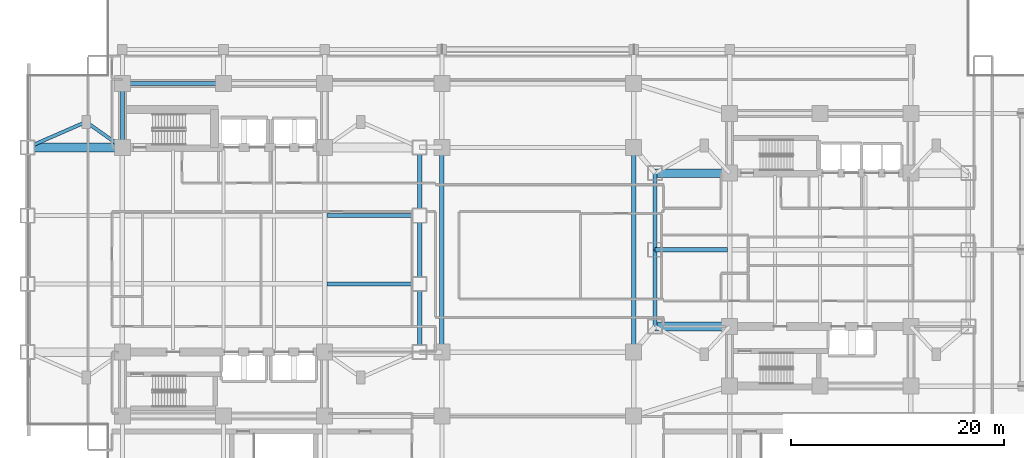
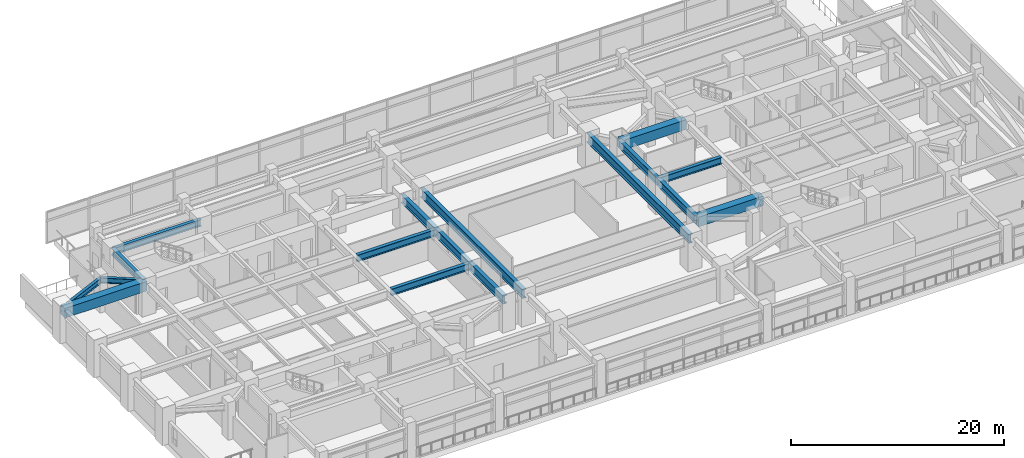
# One storey, part 5 of 27: 17 beams.
"""IFC4 building model written with IfcOpenShell, lengths in metres."""

from ifc_helpers import new_model, si_unit, direction, frame, origin, origin_2d, place, context, subcontext, project, spatial, rectangle, i_section, extrude, material, material_profile, profile_set, type_object, element, save


model = new_model("IFC4")

# Units and contexts
model_context = context("Model", 3, precision=1e-05, world=origin(), true_north=direction((0.0, 1.0)))
body_context = subcontext(model_context, "Body", "Model", "MODEL_VIEW")
ifc_project = project(units=[si_unit("LENGTHUNIT", "METRE"), si_unit("AREAUNIT", "SQUARE_METRE"), si_unit("VOLUMEUNIT", "CUBIC_METRE"), si_unit("PLANEANGLEUNIT", "RADIAN"), si_unit("MASSUNIT", "GRAM", prefix="KILO")], contexts=[model_context])

# Site, building, storey
site_placement = place(None, origin())
site = spatial("IfcSite", under=ifc_project, at=site_placement, CompositionType="ELEMENT")
building_placement = place(site_placement, origin())
building = spatial("IfcBuilding", under=site, at=building_placement, Name="Mirazonda Arch Towers", CompositionType="ELEMENT")
storey_placement = place(building_placement, frame((0.0, 0.0, 18.10009765625)))
storey = spatial("IfcBuildingStorey", under=building, at=storey_placement, Name="L04", CompositionType="ELEMENT", Elevation=18.10009765625)

# Beams
ifc_material_1 = material(Name="Steel ASTM A992 Grade 50", Category="steel")
ifc_material_profile_1 = material_profile(ifc_material_1, i_section(OverallWidth=0.39990234375, OverallDepth=0.85595703125, WebThickness=0.018310546875, FlangeThickness=0.029296875, at=origin_2d()), Name="W33X201")
ifc_profile_set_1 = profile_set([ifc_material_profile_1], Name="Steel ASTM A992 Grade 50")
beam_type_1 = type_object("IfcBeamType", Name="BM-EXT-W33X201", PredefinedType="USERDEFINED", material=ifc_profile_set_1)
for number, where, z_axis, x_axis, name in (
    (1, (61.0, 20.800048828125, 3.221923828125), (0.0, 1.0, 0.0), (-1.0, 0.0, 0.0), "L04 Floor Beam BM-T2-L04-NS-W-20"),
    (2, (61.0, 28.0, 3.221923828125), (0.0, 1.0, 0.0), (-1.0, 0.0, 0.0), "L04 Floor Beam BM-T2-L04-NS-W-28"),
):
    element("IfcBeam", number, at=place(storey_placement, frame(where, z_axis=z_axis, x_axis=x_axis)), inside=storey, type_object=beam_type_1, Name=name, ObjectType="GIRDER", PredefinedType="USERDEFINED", context=body_context, shape_type="SweptSolid", body=[
        extrude(i_section(OverallWidth=0.39990234375, OverallDepth=0.85595703125, WebThickness=0.018310546875, FlangeThickness=0.029296875, at=origin_2d()), origin(), (0.0, 0.0, 1.0), 7.199951171875),
    ])
ifc_material_profile_2 = material_profile(ifc_material_1, i_section(OverallWidth=0.41796875, OverallDepth=0.927001953125, WebThickness=0.019287109375, FlangeThickness=0.031982421875, at=origin_2d()), Name="W36X231")
ifc_profile_set_2 = profile_set([ifc_material_profile_2], Name="Steel ASTM A992 Grade 50")
beam_type_2 = type_object("IfcBeamType", Name="BM-EXT-W36X231", PredefinedType="USERDEFINED", material=ifc_profile_set_2)
beam_1_placement = place(storey_placement, frame((38.89990234375, 18.39990234375, 3.1865234375), z_axis=(0.0, 1.0, 0.0), x_axis=(-1.0, 0.0, 0.0)))
element("IfcBeam", 3, at=beam_1_placement, inside=storey, type_object=beam_type_2, Name="L04 Floor Beam BM-T1-L04-NS-E-18", ObjectType="GIRDER", PredefinedType="USERDEFINED", context=body_context, shape_type="SweptSolid", body=[
    extrude(i_section(OverallWidth=0.41796875, OverallDepth=0.927001953125, WebThickness=0.019287109375, FlangeThickness=0.031982421875, at=origin_2d()), origin(), (0.0, 0.0, 1.0), 6.400146484375),
])
beam_2_placement = place(storey_placement, frame((38.89990234375, 24.800048828125, 3.1865234375), z_axis=(0.0, 1.0, 0.0), x_axis=(-1.0, 0.0, 0.0)))
element("IfcBeam", 4, at=beam_2_placement, inside=storey, type_object=beam_type_2, Name="L04 Floor Beam BM-T1-L04-NS-E-24", ObjectType="GIRDER", PredefinedType="USERDEFINED", context=body_context, shape_type="SweptSolid", body=[
    extrude(i_section(OverallWidth=0.41796875, OverallDepth=0.927001953125, WebThickness=0.019287109375, FlangeThickness=0.031982421875, at=origin_2d()), origin(), (0.0, 0.0, 1.0), 6.39990234375),
])
beam_3_placement = place(storey_placement, frame((38.89990234375, 31.199951171875, 3.1865234375), z_axis=(0.0, 1.0, 0.0), x_axis=(-1.0, 0.0, 0.0)))
element("IfcBeam", 5, at=beam_3_placement, inside=storey, type_object=beam_type_2, Name="L04 Floor Beam BM-T1-L04-NS-E-31", ObjectType="GIRDER", PredefinedType="USERDEFINED", context=body_context, shape_type="SweptSolid", body=[
    extrude(i_section(OverallWidth=0.41796875, OverallDepth=0.927001953125, WebThickness=0.019287109375, FlangeThickness=0.031982421875, at=origin_2d()), origin(), (0.0, 0.0, 1.0), 6.400146484375),
])
ifc_material_profile_3 = material_profile(ifc_material_1, i_section(OverallWidth=0.419921875, OverallDepth=1.0400390625, WebThickness=0.031005859375, FlangeThickness=0.055908203125, at=origin_2d()), Name="W40X397")
ifc_profile_set_3 = profile_set([ifc_material_profile_3], Name="Steel ASTM A992 Grade 50")
beam_type_3 = type_object("IfcBeamType", Name="BM-EXT-W40X397", PredefinedType="USERDEFINED", material=ifc_profile_set_3)
for number, where, z_axis, x_axis, name in (
    (6, (41.0, 18.39990234375, 3.1298828125), (0.0, 1.0, 0.0), (-1.0, 0.0, 0.0), "L04 Floor Beam BM-POD-L04-PA-WL2"),
    (7, (59.0, 18.39990234375, 3.1298828125), (0.0, 1.0, 0.0), (-1.0, 0.0, 0.0), "L04 Floor Beam BM-POD-L04-PA-EL2"),
):
    element("IfcBeam", number, at=place(storey_placement, frame(where, z_axis=z_axis, x_axis=x_axis)), inside=storey, type_object=beam_type_3, Name=name, ObjectType="GIRDER", PredefinedType="USERDEFINED", context=body_context, shape_type="SweptSolid", body=[
        extrude(i_section(OverallWidth=0.419921875, OverallDepth=1.0400390625, WebThickness=0.031005859375, FlangeThickness=0.055908203125, at=origin_2d()), origin(), (0.0, 0.0, 1.0), 19.2001953125),
    ])
ifc_material_profile_4 = material_profile(ifc_material_1, i_section(OverallWidth=0.324951171875, OverallDepth=0.615966796875, WebThickness=0.013916015625, FlangeThickness=0.021484375, at=origin_2d()), Name="W24X117")
ifc_profile_set_4 = profile_set([ifc_material_profile_4], Name="Steel ASTM A992 Grade 50")
beam_type_4 = type_object("IfcBeamType", Name="BM-INT-W24X117", PredefinedType="BEAM", material=ifc_profile_set_4)
beam_4_placement = place(storey_placement, frame((7.60009765625, 40.0, 3.341796875), z_axis=(0.816971114901, -0.576678591087, 0.0), x_axis=(0.576678591087, 0.816971114901, 0.0)))
element("IfcBeam", 8, at=beam_4_placement, inside=storey, type_object=beam_type_4, Name="L04 Floor Beam BM-T1-L04-PL-NW1", PredefinedType="BEAM", context=body_context, shape_type="SweptSolid", body=[
    extrude(i_section(OverallWidth=0.324951171875, OverallDepth=0.615966796875, WebThickness=0.013916015625, FlangeThickness=0.021484375, at=origin_2d()), origin(), (0.0, 0.0, 1.0), 4.16162109375),
])
beam_5_placement = place(storey_placement, frame((7.60009765625, 40.0, 3.341796875), z_axis=(-0.916545343703, -0.399930785183, 0.0), x_axis=(0.399930785183, -0.916545343703, 0.0)))
element("IfcBeam", 9, at=beam_5_placement, inside=storey, type_object=beam_type_4, Name="L04 Floor Beam BM-T1-L04-PL-NW2", PredefinedType="BEAM", context=body_context, shape_type="SweptSolid", body=[
    extrude(i_section(OverallWidth=0.324951171875, OverallDepth=0.615966796875, WebThickness=0.013916015625, FlangeThickness=0.021484375, at=origin_2d()), origin(), (0.0, 0.0, 1.0), 6.000732421875),
])
ifc_material_profile_5 = material_profile(ifc_material_1, i_section(OverallWidth=0.381103515625, OverallDepth=0.77294921875, WebThickness=0.0166015625, FlangeThickness=0.027099609375, at=origin_2d()), Name="W30X173")
ifc_profile_set_5 = profile_set([ifc_material_profile_5], Name="Steel ASTM A992 Grade 50")
beam_type_5 = type_object("IfcBeamType", Name="BM-INT-W30X173", PredefinedType="USERDEFINED", material=ifc_profile_set_5)
for number, where, z_axis, x_axis, name in (
    (10, (30.2099609375, 24.800048828125, 3.263427734375), (1.0, 0.0, 0.0), (0.0, 1.0, 0.0), "L04 Floor Beam BM-T1-L04-GE2"),
    (11, (30.2099609375, 31.199951171875, 3.263427734375), (1.0, 0.0, 0.0), (0.0, 1.0, 0.0), "L04 Floor Beam BM-T1-L04-GE3"),
):
    element("IfcBeam", number, at=place(storey_placement, frame(where, z_axis=z_axis, x_axis=x_axis)), inside=storey, type_object=beam_type_5, Name=name, ObjectType="GIRDER", PredefinedType="USERDEFINED", context=body_context, shape_type="SweptSolid", body=[
        extrude(i_section(OverallWidth=0.381103515625, OverallDepth=0.77294921875, WebThickness=0.0166015625, FlangeThickness=0.027099609375, at=origin_2d()), origin(), (0.0, 0.0, 1.0), 8.68994140625),
    ])
beam_6_placement = place(storey_placement, frame((11.0, 43.60009765625, 3.263427734375), z_axis=(1.0, 0.0, 0.0), x_axis=(0.0, 1.0, 0.0)))
element("IfcBeam", 12, at=beam_6_placement, inside=storey, type_object=beam_type_5, Name="L04 Floor Beam BM-T1-L04-CN1", ObjectType="GIRDER", PredefinedType="USERDEFINED", context=body_context, shape_type="SweptSolid", body=[
    extrude(i_section(OverallWidth=0.381103515625, OverallDepth=0.77294921875, WebThickness=0.0166015625, FlangeThickness=0.027099609375, at=origin_2d()), origin(), (0.0, 0.0, 1.0), 9.5),
])
beam_7_placement = place(storey_placement, frame((11.0, 37.60009765625, 3.263427734375), z_axis=(0.0, 1.0, 0.0), x_axis=(-1.0, 0.0, 0.0)))
element("IfcBeam", 13, at=beam_7_placement, inside=storey, type_object=beam_type_5, Name="L04 Floor Beam BM-T1-L04-CNW", ObjectType="GIRDER", PredefinedType="USERDEFINED", context=body_context, shape_type="SweptSolid", body=[
    extrude(i_section(OverallWidth=0.381103515625, OverallDepth=0.77294921875, WebThickness=0.0166015625, FlangeThickness=0.027099609375, at=origin_2d()), origin(), (0.0, 0.0, 1.0), 6.0),
])
beam_8_placement = place(storey_placement, frame((61.0, 28.0, 3.263427734375), z_axis=(1.0, 0.0, 0.0), x_axis=(0.0, 1.0, 0.0)))
element("IfcBeam", 14, at=beam_8_placement, inside=storey, type_object=beam_type_5, Name="L04 Floor Beam BM-T2-L04-GW2", ObjectType="GIRDER", PredefinedType="USERDEFINED", context=body_context, shape_type="SweptSolid", body=[
    extrude(i_section(OverallWidth=0.381103515625, OverallDepth=0.77294921875, WebThickness=0.0166015625, FlangeThickness=0.027099609375, at=origin_2d()), origin(), (0.0, 0.0, 1.0), 6.791015625),
])
ifc_material_2 = material(Name="Concrete C60/75", Category="concrete")
ifc_material_profile_6 = material_profile(ifc_material_2, rectangle(XDim=0.800048828125, YDim=1.10009765625, at=origin_2d()), Name="RCCB800x1100")
ifc_profile_set_6 = profile_set([ifc_material_profile_6], Name="Concrete C60/75")
beam_type_6 = type_object("IfcBeamType", Name="CB-INT-RCCB800x1100", PredefinedType="SPANDREL", material=ifc_profile_set_6)
beam_9_placement = place(storey_placement, frame((2.10009765625, 37.60009765625, 3.099853515625), z_axis=(1.0, 0.0, 0.0), x_axis=(0.0, 1.0, 0.0)))
element("IfcBeam", 15, at=beam_9_placement, inside=storey, type_object=beam_type_6, Name="L04 Floor Beam CB-T1-L04-NW", PredefinedType="SPANDREL", context=body_context, shape_type="SweptSolid", body=[
    extrude(rectangle(XDim=0.800048828125, YDim=1.10009765625, at=origin_2d()), origin(), (0.0, 0.0, 1.0), 8.89990234375),
])
for number, where, z_axis, x_axis, name in (
    (16, (61.0, 35.199951171875, 3.099853515625), (1.0, 0.0, 0.0), (0.0, 1.0, 0.0), "L04 Floor Beam CB-T2-L04-NW"),
    (17, (61.0, 20.800048828125, 3.099853515625), (1.0, 0.0, 0.0), (0.0, 1.0, 0.0), "L04 Floor Beam CB-T2-L04-SW"),
):
    element("IfcBeam", number, at=place(storey_placement, frame(where, z_axis=z_axis, x_axis=x_axis)), inside=storey, type_object=beam_type_6, Name=name, PredefinedType="SPANDREL", context=body_context, shape_type="SweptSolid", body=[
        extrude(rectangle(XDim=0.800048828125, YDim=1.10009765625, at=origin_2d()), origin(), (0.0, 0.0, 1.0), 7.0),
    ])

save(model, "model.ifc")
